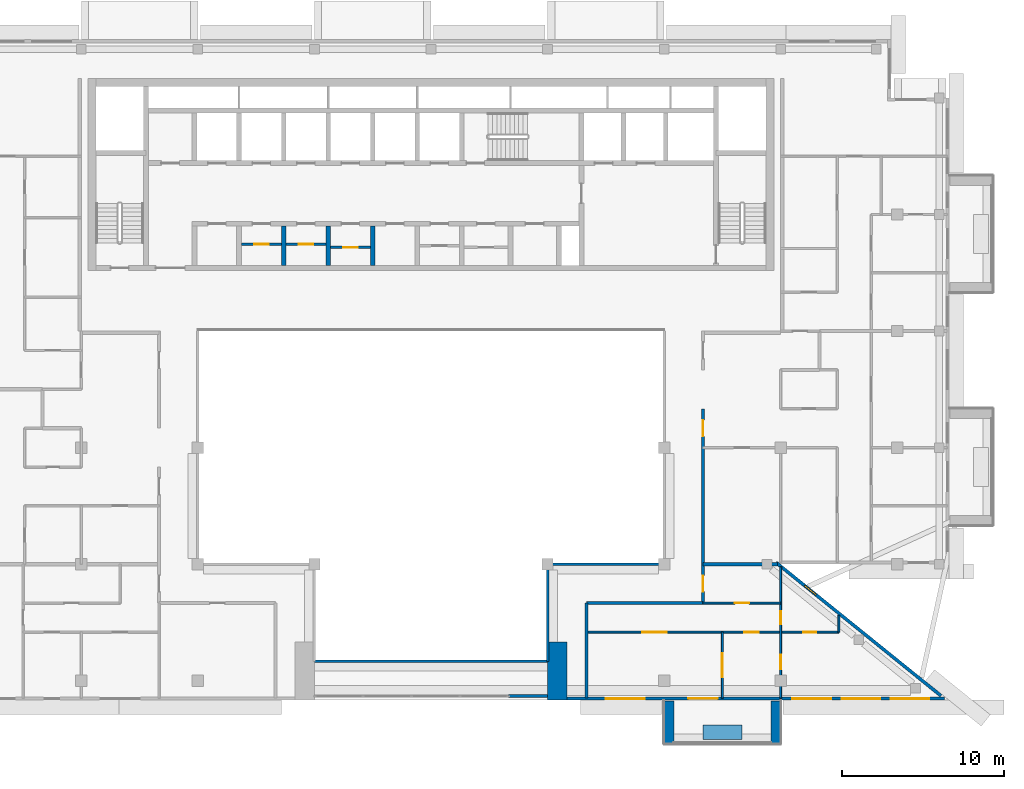
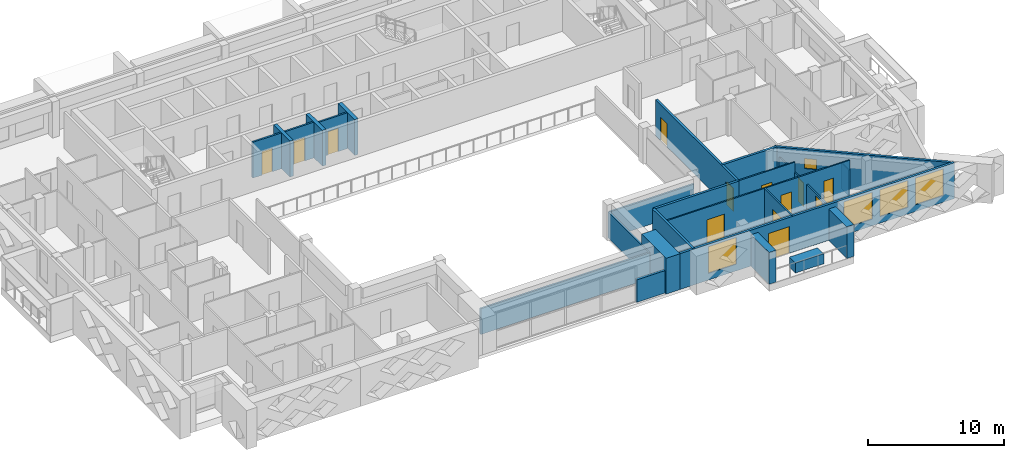
# One storey, part 8 of 19: 25 walls, 13 doors, 5 windows, 18 openings.
"""IFC4 building model written with IfcOpenShell, lengths in metres."""

from ifc_helpers import new_model, si_unit, direction, frame, frame_2d, origin, place, context, subcontext, project, spatial, rectangle, extrude, material, layer, layer_set, type_object, element, fill, save


model = new_model("IFC4")

# Units and contexts
model_context = context("Model", 3, precision=1e-05, world=origin(), true_north=direction((0.0, 1.0)))
body_context = subcontext(model_context, "Body", "Model", "MODEL_VIEW")
ifc_project = project(units=[si_unit("LENGTHUNIT", "METRE"), si_unit("AREAUNIT", "SQUARE_METRE"), si_unit("VOLUMEUNIT", "CUBIC_METRE"), si_unit("PLANEANGLEUNIT", "RADIAN"), si_unit("MASSUNIT", "GRAM", prefix="KILO")], contexts=[model_context])

# Site, building, storey
site_placement = place(None, origin())
site = spatial("IfcSite", under=ifc_project, at=site_placement, CompositionType="ELEMENT")
building_placement = place(site_placement, origin())
building = spatial("IfcBuilding", under=site, at=building_placement, Name="Saffron Iwan Residences", CompositionType="ELEMENT")
storey_placement = place(building_placement, frame((0.0, 0.0, 253.5)))
storey = spatial("IfcBuildingStorey", under=building, at=storey_placement, Name="L68", CompositionType="ELEMENT", Elevation=253.5)

# Walls
ifc_material_1 = material(Name="Fire-rated glazing", Category="glass")
ifc_layer_1 = layer(ifc_material_1, 0.14990234375)
ifc_layer_set_1 = layer_set([ifc_layer_1], Name="Fire-rated glazing")
wall_type_1 = type_object("IfcWallType", Name="Atrium glazed screen 150", PredefinedType="SOLIDWALL", material=ifc_layer_set_1)
wall_1_placement = place(storey_placement, frame((43.199951171875, 42.0, 0.0), z_axis=(0.0, 0.0, 1.0), x_axis=(1.0, 0.0, 0.0)))
element("IfcWall", 1, at=wall_1_placement, inside=storey, type_object=wall_type_1, Name="W-L68-SCREEN-h42-43.2", PredefinedType="SOLIDWALL", context=body_context, shape_type="SweptSolid", body=[
    extrude(rectangle(XDim=14.400146484375, YDim=0.14990234375, at=frame_2d((7.2001953125, 0.0))), origin(), (0.0, 0.0, 1.0), 2.320068359375),
])
wall_2_placement = place(storey_placement, frame((57.60009765625, 48.0, 0.0), z_axis=(0.0, 0.0, 1.0), x_axis=(1.0, 0.0, 0.0)))
element("IfcWall", 2, at=wall_2_placement, inside=storey, type_object=wall_type_1, Name="W-L68-SCREEN-h48-57.6", PredefinedType="SOLIDWALL", context=body_context, shape_type="SweptSolid", body=[
    extrude(rectangle(XDim=7.199951171875, YDim=0.14990234375, at=frame_2d((3.60009765625, 0.0))), origin(), (0.0, 0.0, 1.0), 2.320068359375),
])
wall_3_placement = place(storey_placement, frame((57.60009765625, 42.0, 0.0), z_axis=(0.0, 0.0, 1.0), x_axis=(0.0, 1.0, 0.0)))
element("IfcWall", 3, at=wall_3_placement, inside=storey, type_object=wall_type_1, Name="W-L68-SCREEN-v57.6-42", PredefinedType="SOLIDWALL", context=body_context, shape_type="SweptSolid", body=[
    extrude(rectangle(XDim=6.0, YDim=0.14990234375, at=frame_2d((3.0, 0.0))), origin(), (0.0, 0.0, 1.0), 2.320068359375),
])
ifc_material_2 = material(Name="Concrete C50/60 white painted", Category="concrete")
ifc_layer_2 = layer(ifc_material_2, 0.60009765625)
ifc_layer_set_2 = layer_set([ifc_layer_2], Name="Concrete C50/60 white painted")
wall_type_2 = type_object("IfcWallType", Name="BALCONY FIN 600", PredefinedType="SOLIDWALL", material=ifc_layer_set_2)
for number, where, z_axis, x_axis, name in (
    (4, (65.10009765625, 39.550048828125, 0.0), (0.0, 0.0, 1.0), (0.0, -1.0, 0.0), "Balcony fin L68 11-0a"),
    (5, (71.699951171875, 39.550048828125, 0.0), (0.0, 0.0, 1.0), (0.0, -1.0, 0.0), "Balcony fin L68 11-0b"),
):
    element("IfcWall", number, at=place(storey_placement, frame(where, z_axis=z_axis, x_axis=x_axis)), inside=storey, type_object=wall_type_2, Name=name, PredefinedType="SOLIDWALL", context=body_context, shape_type="SweptSolid", body=[
        extrude(rectangle(XDim=2.650146484375, YDim=0.60009765625, at=frame_2d((1.3251953125, 0.0))), origin(), (0.0, 0.0, 1.0), 2.85009765625),
    ])
ifc_material_3 = material(Name="Concrete C35/45 white painted", Category="concrete")
ifc_layer_3 = layer(ifc_material_3, 0.14990234375)
ifc_layer_set_3 = layer_set([ifc_layer_3], Name="Concrete C35/45 white painted")
wall_type_3 = type_object("IfcWallType", Name="BALCONY PLANTER", PredefinedType="SOLIDWALL", material=ifc_layer_set_3)
wall_4_placement = place(storey_placement, frame((67.199951171875, 37.625, 0.0), z_axis=(0.0, 0.0, 1.0), x_axis=(1.0, 0.0, 0.0)))
element("IfcWall", 6, at=wall_4_placement, inside=storey, type_object=wall_type_3, Name="PLANTER L68 11-0", PredefinedType="SOLIDWALL", context=body_context, shape_type="SweptSolid", body=[
    extrude(rectangle(XDim=2.400146484375, YDim=0.89990234375, at=frame_2d((1.2001953125, 0.0))), origin(), (0.0, 0.0, 1.0), 0.89990234375),
])

# Wall, opening, door
ifc_material_4 = material(Name="Fire-rated plasterboard partition")
ifc_layer_4 = layer(ifc_material_4, 0.14990234375)
ifc_layer_set_4 = layer_set([ifc_layer_4], Name="Fire-rated plasterboard partition")
wall_type_4 = type_object("IfcWallType", Name="Core partition 150", PredefinedType="PARTITIONING", material=ifc_layer_set_4)
wall_5_placement = place(storey_placement, frame((38.699951171875, 67.759521484375, 0.0), z_axis=(0.0, 0.0, 1.0), x_axis=(1.0, 0.0, 0.0)))
wall_5 = element("IfcWall", 7, at=wall_5_placement, inside=storey, type_object=wall_type_4, Name="Core partition P01", PredefinedType="PARTITIONING", context=body_context, shape_type="SweptSolid", body=[
    extrude(rectangle(XDim=2.449951171875, YDim=0.14990234375, at=frame_2d((1.22509765625, 0.0))), origin(), (0.0, 0.0, 1.0), 3.219970703125),
])
opening_1_placement = place(wall_5_placement, frame((0.77490234375, 0.0, 0.0)))
opening_1 = element("IfcOpeningElement", 8, at=opening_1_placement, cuts=wall_5, Name="Opening SB", PredefinedType="OPENING", context=body_context, shape_type="SweptSolid", body=[
    extrude(rectangle(XDim=0.89990234375, YDim=2.10009765625, at=frame_2d((0.449951171875, 1.050048828125))), frame((0.0, 0.0849609375, 0.0), z_axis=(0.0, -1.0, 0.0), x_axis=(1.0, 0.0, 0.0)), (0.0, 0.0, 1.0), 0.169921875),
])
ifc_material_5 = material(Name="Steel fire door", Category="steel")
door_type_1 = type_object("IfcDoorType", Name="Store door 900", OperationType="NOTDEFINED", PredefinedType="DOOR", material=ifc_material_5)
door_1_placement = place(opening_1_placement, origin())
door_1 = element("IfcDoor", 9, at=door_1_placement, inside=storey, type_object=door_type_1, Name="Door Equipment store", OperationType="SINGLE_SWING_RIGHT", OverallHeight=2.10009765625, OverallWidth=0.89990234375, PredefinedType="DOOR", context=body_context, shape_type="SweptSolid", body=[
    extrude(rectangle(XDim=0.89990234375, YDim=2.10009765625, at=frame_2d((0.449951171875, 1.050048828125))), frame((0.0, 0.02490234375, 0.0), z_axis=(0.0, -1.0, 0.0), x_axis=(1.0, 0.0, 0.0)), (0.0, 0.0, 1.0), 0.050048828125),
])
fill(opening_1, door_1)

wall_6_placement = place(storey_placement, frame((41.449951171875, 67.759521484375, 0.0), z_axis=(0.0, 0.0, 1.0), x_axis=(1.0, 0.0, 0.0)))
wall_6 = element("IfcWall", 10, at=wall_6_placement, inside=storey, type_object=wall_type_4, Name="Core partition P02", PredefinedType="PARTITIONING", context=body_context, shape_type="SweptSolid", body=[
    extrude(rectangle(XDim=2.449951171875, YDim=0.14990234375, at=frame_2d((1.22509765625, 0.0))), origin(), (0.0, 0.0, 1.0), 3.219970703125),
])
opening_2_placement = place(wall_6_placement, frame((0.77490234375, 0.0, 0.0)))
opening_2 = element("IfcOpeningElement", 11, at=opening_2_placement, cuts=wall_6, Name="Opening SB", PredefinedType="OPENING", context=body_context, shape_type="SweptSolid", body=[
    extrude(rectangle(XDim=0.89990234375, YDim=2.10009765625, at=frame_2d((0.449951171875, 1.050048828125))), frame((0.0, 0.0849609375, 0.0), z_axis=(0.0, -1.0, 0.0), x_axis=(1.0, 0.0, 0.0)), (0.0, 0.0, 1.0), 0.169921875),
])
door_2_placement = place(opening_2_placement, origin())
door_2 = element("IfcDoor", 12, at=door_2_placement, inside=storey, type_object=door_type_1, Name="Door Mop store", OperationType="SINGLE_SWING_LEFT", OverallHeight=2.10009765625, OverallWidth=0.89990234375, PredefinedType="DOOR", context=body_context, shape_type="SweptSolid", body=[
    extrude(rectangle(XDim=0.89990234375, YDim=2.10009765625, at=frame_2d((0.449951171875, 1.050048828125))), frame((0.0, 0.02490234375, 0.0), z_axis=(0.0, -1.0, 0.0), x_axis=(1.0, 0.0, 0.0)), (0.0, 0.0, 1.0), 0.050048828125),
])
fill(opening_2, door_2)

wall_7_placement = place(storey_placement, frame((44.199951171875, 67.5654296875, 0.0), z_axis=(0.0, 0.0, 1.0), x_axis=(1.0, 0.0, 0.0)))
wall_7 = element("IfcWall", 13, at=wall_7_placement, inside=storey, type_object=wall_type_4, Name="Core partition P03", PredefinedType="PARTITIONING", context=body_context, shape_type="SweptSolid", body=[
    extrude(rectangle(XDim=2.449951171875, YDim=0.14990234375, at=frame_2d((1.22509765625, 0.0))), origin(), (0.0, 0.0, 1.0), 3.219970703125),
])
opening_3_placement = place(wall_7_placement, frame((0.77490234375, 0.0, 0.0)))
opening_3 = element("IfcOpeningElement", 14, at=opening_3_placement, cuts=wall_7, Name="Opening SB", PredefinedType="OPENING", context=body_context, shape_type="SweptSolid", body=[
    extrude(rectangle(XDim=0.89990234375, YDim=2.10009765625, at=frame_2d((0.449951171875, 1.050048828125))), frame((0.0, 0.0849609375, 0.0), z_axis=(0.0, -1.0, 0.0), x_axis=(1.0, 0.0, 0.0)), (0.0, 0.0, 1.0), 0.169921875),
])
door_3_placement = place(opening_3_placement, origin())
door_3 = element("IfcDoor", 15, at=door_3_placement, inside=storey, type_object=door_type_1, Name="Door Spares store", OperationType="SINGLE_SWING_LEFT", OverallHeight=2.10009765625, OverallWidth=0.89990234375, PredefinedType="DOOR", context=body_context, shape_type="SweptSolid", body=[
    extrude(rectangle(XDim=0.89990234375, YDim=2.10009765625, at=frame_2d((0.449951171875, 1.050048828125))), frame((0.0, 0.02490234375, 0.0), z_axis=(0.0, -1.0, 0.0), x_axis=(1.0, 0.0, 0.0)), (0.0, 0.0, 1.0), 0.050048828125),
])
fill(opening_3, door_3)

# Wall, opening, window
ifc_material_6 = material(Name="Concrete C40/50", Category="concrete")
ifc_layer_5 = layer(ifc_material_6, 0.199951171875)
ifc_layer_set_5 = layer_set([ifc_layer_5], Name="Concrete C40/50")
wall_type_5 = type_object("IfcWallType", Name="EXTERNAL WALL 200", PredefinedType="SOLIDWALL", material=ifc_layer_set_5)
wall_8_placement = place(storey_placement, frame((81.906982421875, 39.86962890625, 0.0), z_axis=(0.0, 0.0, 1.0), x_axis=(-0.777936274417, 0.62834318087, 0.0)))
wall_8 = element("IfcWall", 16, at=wall_8_placement, inside=storey, type_object=wall_type_5, Name="External wall L68 F0.0", PredefinedType="SOLIDWALL", context=body_context, shape_type="SweptSolid", body=[
    extrude(rectangle(XDim=13.0986328125, YDim=0.199951171875, at=frame_2d((6.54931640625, 0.0))), origin(), (0.0, 0.0, 1.0), 3.219970703125),
])
opening_4_placement = place(wall_8_placement, frame((9.9384765625, 0.0, 1.5)))
opening_4 = element("IfcOpeningElement", 17, at=opening_4_placement, cuts=wall_8, Name="Opening W6", PredefinedType="OPENING", context=body_context, shape_type="SweptSolid", body=[
    extrude(rectangle(XDim=0.89990234375, YDim=0.89990234375, at=frame_2d((0.449951171875, 0.449951171875))), frame((0.0, 0.10986328125, 0.0), z_axis=(0.0, -1.0, 0.0), x_axis=(1.0, 0.0, 0.0)), (0.0, 0.0, 1.0), 0.219970703125),
])
ifc_material_7 = material(Name="Clear glass, laminated double glazed", Category="glass")
window_type_1 = type_object("IfcWindowType", Name="WINDOW 900 x 900 BATH", PartitioningType="SINGLE_PANEL", PredefinedType="WINDOW", material=ifc_material_7)
window_1_placement = place(opening_4_placement, origin())
window_1 = element("IfcWindow", 18, at=window_1_placement, inside=storey, type_object=window_type_1, Name="Window L68 F0.0", OverallHeight=0.89990234375, OverallWidth=0.89990234375, PartitioningType="SINGLE_PANEL", PredefinedType="WINDOW", context=body_context, shape_type="SweptSolid", body=[
    extrude(rectangle(XDim=0.89990234375, YDim=0.89990234375, at=frame_2d((0.449951171875, 0.449951171875))), frame((0.0, 0.030029296875, 0.0), z_axis=(0.0, -1.0, 0.0), x_axis=(1.0, 0.0, 0.0)), (0.0, 0.0, 1.0), 0.06005859375),
])
fill(opening_4, window_1)

# Wall, openings, door, windows
wall_9_placement = place(storey_placement, frame((58.800048828125, 39.699951171875, 0.0), z_axis=(0.0, 0.0, 1.0), x_axis=(1.0, 0.0, 0.0)))
wall_9 = element("IfcWall", 19, at=wall_9_placement, inside=storey, type_object=wall_type_5, Name="External wall L68 F11.1", PredefinedType="SOLIDWALL", context=body_context, shape_type="SweptSolid", body=[
    extrude(rectangle(XDim=23.31689453125, YDim=0.199951171875, at=frame_2d((11.658447265625, 0.0))), origin(), (0.0, 0.0, 1.0), 3.219970703125),
])
opening_5_placement = place(wall_9_placement, frame((7.5, 0.0, 0.0)))
opening_5 = element("IfcOpeningElement", 20, at=opening_5_placement, cuts=wall_9, Name="Opening BD1", PredefinedType="OPENING", context=body_context, shape_type="SweptSolid", body=[
    extrude(rectangle(XDim=1.800048828125, YDim=2.39990234375, at=frame_2d((0.89990234375, 1.199951171875))), frame((0.0, 0.10986328125, 0.0), z_axis=(0.0, -1.0, 0.0), x_axis=(1.0, 0.0, 0.0)), (0.0, 0.0, 1.0), 0.219970703125),
])
opening_6_placement = place(wall_9_placement, frame((2.39990234375, 0.0, 0.60009765625)))
opening_6 = element("IfcOpeningElement", 21, at=opening_6_placement, cuts=wall_9, Name="Opening W1", PredefinedType="OPENING", context=body_context, shape_type="SweptSolid", body=[
    extrude(rectangle(XDim=2.39990234375, YDim=2.39990234375, at=frame_2d((1.199951171875, 1.199951171875))), frame((0.0, 0.10986328125, 0.0), z_axis=(0.0, -1.0, 0.0), x_axis=(1.0, 0.0, 0.0)), (0.0, 0.0, 1.0), 0.219970703125),
])
opening_7_placement = place(wall_9_placement, frame((13.92919921875, 0.0, 0.60009765625)))
opening_7 = element("IfcOpeningElement", 22, at=opening_7_placement, cuts=wall_9, Name="Opening W1", PredefinedType="OPENING", context=body_context, shape_type="SweptSolid", body=[
    extrude(rectangle(XDim=2.39990234375, YDim=2.39990234375, at=frame_2d((1.199951171875, 1.199951171875))), frame((0.0, 0.10986328125, 0.0), z_axis=(0.0, -1.0, 0.0), x_axis=(1.0, 0.0, 0.0)), (0.0, 0.0, 1.0), 0.219970703125),
])
opening_8_placement = place(wall_9_placement, frame((16.95849609375, 0.0, 0.60009765625)))
opening_8 = element("IfcOpeningElement", 23, at=opening_8_placement, cuts=wall_9, Name="Opening W1", PredefinedType="OPENING", context=body_context, shape_type="SweptSolid", body=[
    extrude(rectangle(XDim=2.39990234375, YDim=2.39990234375, at=frame_2d((1.199951171875, 1.199951171875))), frame((0.0, 0.10986328125, 0.0), z_axis=(0.0, -1.0, 0.0), x_axis=(1.0, 0.0, 0.0)), (0.0, 0.0, 1.0), 0.219970703125),
])
opening_9_placement = place(wall_9_placement, frame((19.98779296875, 0.0, 0.60009765625)))
opening_9 = element("IfcOpeningElement", 24, at=opening_9_placement, cuts=wall_9, Name="Opening W1", PredefinedType="OPENING", context=body_context, shape_type="SweptSolid", body=[
    extrude(rectangle(XDim=2.39990234375, YDim=2.39990234375, at=frame_2d((1.199951171875, 1.199951171875))), frame((0.0, 0.10986328125, 0.0), z_axis=(0.0, -1.0, 0.0), x_axis=(1.0, 0.0, 0.0)), (0.0, 0.0, 1.0), 0.219970703125),
])
door_type_2 = type_object("IfcDoorType", Name="BALCONY DOOR 1800 x 2400", OperationType="DOUBLE_DOOR_SLIDING", PredefinedType="DOOR", material=ifc_material_7)
door_4_placement = place(opening_5_placement, origin())
door_4 = element("IfcDoor", 25, at=door_4_placement, inside=storey, type_object=door_type_2, Name="Balcony door L68 F11.0", OperationType="DOUBLE_DOOR_SLIDING", OverallHeight=2.39990234375, OverallWidth=1.800048828125, PredefinedType="DOOR", context=body_context, shape_type="SweptSolid", body=[
    extrude(rectangle(XDim=1.800048828125, YDim=2.39990234375, at=frame_2d((0.89990234375, 1.199951171875))), frame((0.0, 0.02490234375, 0.0), z_axis=(0.0, -1.0, 0.0), x_axis=(1.0, 0.0, 0.0)), (0.0, 0.0, 1.0), 0.050048828125),
])
fill(opening_5, door_4)
window_type_2 = type_object("IfcWindowType", Name="WINDOW 2400 x 2400", PartitioningType="DOUBLE_PANEL_VERTICAL", PredefinedType="WINDOW", material=ifc_material_7)
window_2_placement = place(opening_6_placement, origin())
window_2 = element("IfcWindow", 26, at=window_2_placement, inside=storey, type_object=window_type_2, Name="Window L68 F11.1", OverallHeight=2.39990234375, OverallWidth=2.39990234375, PartitioningType="DOUBLE_PANEL_VERTICAL", PredefinedType="WINDOW", context=body_context, shape_type="SweptSolid", body=[
    extrude(rectangle(XDim=2.39990234375, YDim=2.39990234375, at=frame_2d((1.199951171875, 1.199951171875))), frame((0.0, 0.030029296875, 0.0), z_axis=(0.0, -1.0, 0.0), x_axis=(1.0, 0.0, 0.0)), (0.0, 0.0, 1.0), 0.06005859375),
])
fill(opening_6, window_2)
window_3_placement = place(opening_7_placement, origin())
window_3 = element("IfcWindow", 27, at=window_3_placement, inside=storey, type_object=window_type_2, Name="Window L68 F11.2", OverallHeight=2.39990234375, OverallWidth=2.39990234375, PartitioningType="DOUBLE_PANEL_VERTICAL", PredefinedType="WINDOW", context=body_context, shape_type="SweptSolid", body=[
    extrude(rectangle(XDim=2.39990234375, YDim=2.39990234375, at=frame_2d((1.199951171875, 1.199951171875))), frame((0.0, 0.030029296875, 0.0), z_axis=(0.0, -1.0, 0.0), x_axis=(1.0, 0.0, 0.0)), (0.0, 0.0, 1.0), 0.06005859375),
])
fill(opening_7, window_3)
window_4_placement = place(opening_8_placement, origin())
window_4 = element("IfcWindow", 28, at=window_4_placement, inside=storey, type_object=window_type_2, Name="Window L68 F11.3", OverallHeight=2.39990234375, OverallWidth=2.39990234375, PartitioningType="DOUBLE_PANEL_VERTICAL", PredefinedType="WINDOW", context=body_context, shape_type="SweptSolid", body=[
    extrude(rectangle(XDim=2.39990234375, YDim=2.39990234375, at=frame_2d((1.199951171875, 1.199951171875))), frame((0.0, 0.030029296875, 0.0), z_axis=(0.0, -1.0, 0.0), x_axis=(1.0, 0.0, 0.0)), (0.0, 0.0, 1.0), 0.06005859375),
])
fill(opening_8, window_4)
window_5_placement = place(opening_9_placement, origin())
window_5 = element("IfcWindow", 29, at=window_5_placement, inside=storey, type_object=window_type_2, Name="Window L68 F11.4", OverallHeight=2.39990234375, OverallWidth=2.39990234375, PartitioningType="DOUBLE_PANEL_VERTICAL", PredefinedType="WINDOW", context=body_context, shape_type="SweptSolid", body=[
    extrude(rectangle(XDim=2.39990234375, YDim=2.39990234375, at=frame_2d((1.199951171875, 1.199951171875))), frame((0.0, 0.030029296875, 0.0), z_axis=(0.0, -1.0, 0.0), x_axis=(1.0, 0.0, 0.0)), (0.0, 0.0, 1.0), 0.06005859375),
])
fill(opening_9, window_5)

# Walls
wall_10_placement = place(storey_placement, frame((55.199951171875, 39.85009765625, 0.0), z_axis=(0.0, 0.0, 1.0), x_axis=(1.0, 0.0, 0.0)))
element("IfcWall", 30, at=wall_10_placement, inside=storey, type_object=wall_type_5, Name="External wall infill CWB-L68-0", PredefinedType="SOLIDWALL", context=body_context, shape_type="SweptSolid", body=[
    extrude(rectangle(XDim=2.400146484375, YDim=0.199951171875, at=frame_2d((1.2001953125, 0.0))), origin(), (0.0, 0.0, 1.0), 2.02001953125),
])
ifc_material_8 = material(Name="Fire-rated gypsum board wall")
ifc_layer_6 = layer(ifc_material_8, 0.199951171875)
ifc_layer_set_6 = layer_set([ifc_layer_6], Name="Fire-rated gypsum board wall")
wall_type_6 = type_object("IfcWallType", Name="Flat demising wall 200", PredefinedType="SOLIDWALL", material=ifc_layer_set_6)
wall_11_placement = place(storey_placement, frame((67.199951171875, 48.0, 0.0), z_axis=(0.0, 0.0, 1.0), x_axis=(1.0, 0.0, 0.0)))
element("IfcWall", 31, at=wall_11_placement, inside=storey, type_object=wall_type_6, Name="W-L68-DEMISE-h48-67.2", PredefinedType="SOLIDWALL", context=body_context, shape_type="SweptSolid", body=[
    extrude(rectangle(XDim=4.60107421875, YDim=0.199951171875, at=frame_2d((2.300537109375, 0.0))), origin(), (0.0, 0.0, 1.0), 3.219970703125),
])

# Wall, openings, doors
ifc_material_9 = material(Name="Gypsum board partition")
ifc_layer_7 = layer(ifc_material_9, 0.1201171875)
ifc_layer_set_7 = layer_set([ifc_layer_7], Name="Gypsum board partition")
wall_type_7 = type_object("IfcWallType", Name="Flat partition 120", PredefinedType="PARTITIONING", material=ifc_layer_set_7)
wall_12_placement = place(storey_placement, frame((60.0, 43.800048828125, 0.0), z_axis=(0.0, 0.0, 1.0), x_axis=(1.0, 0.0, 0.0)))
wall_12 = element("IfcWall", 32, at=wall_12_placement, inside=storey, type_object=wall_type_7, Name="W-L68-PART-h43.8-60", PredefinedType="PARTITIONING", context=body_context, shape_type="SweptSolid", body=[
    extrude(rectangle(XDim=15.60009765625, YDim=0.1201171875, at=frame_2d((7.800048828125, 0.0))), origin(), (0.0, 0.0, 1.0), 3.219970703125),
])
opening_10_placement = place(wall_12_placement, frame((9.75, 0.0, 0.0)))
opening_10 = element("IfcOpeningElement", 33, at=opening_10_placement, cuts=wall_12, Name="Opening FD2", PredefinedType="OPENING", context=body_context, shape_type="SweptSolid", body=[
    extrude(rectangle(XDim=0.89990234375, YDim=2.10009765625, at=frame_2d((0.449951171875, 1.050048828125))), frame((0.0, 0.070068359375, 0.0), z_axis=(0.0, -1.0, 0.0), x_axis=(1.0, 0.0, 0.0)), (0.0, 0.0, 1.0), 0.14013671875),
])
opening_11_placement = place(wall_12_placement, frame((3.449951171875, 0.0, 0.0)))
opening_11 = element("IfcOpeningElement", 34, at=opening_11_placement, cuts=wall_12, Name="Opening FD4", PredefinedType="OPENING", context=body_context, shape_type="SweptSolid", body=[
    extrude(rectangle(XDim=1.5, YDim=2.10009765625, at=frame_2d((0.75, 1.050048828125))), frame((0.0, 0.070068359375, 0.0), z_axis=(0.0, -1.0, 0.0), x_axis=(1.0, 0.0, 0.0)), (0.0, 0.0, 1.0), 0.14013671875),
])
opening_12_placement = place(wall_12_placement, frame((13.39990234375, 0.0, 0.0)))
opening_12 = element("IfcOpeningElement", 35, at=opening_12_placement, cuts=wall_12, Name="Opening FD3", PredefinedType="OPENING", context=body_context, shape_type="SweptSolid", body=[
    extrude(rectangle(XDim=0.800048828125, YDim=2.10009765625, at=frame_2d((0.39990234375, 1.050048828125))), frame((0.0, 0.070068359375, 0.0), z_axis=(0.0, -1.0, 0.0), x_axis=(1.0, 0.0, 0.0)), (0.0, 0.0, 1.0), 0.14013671875),
])
ifc_material_10 = material(Name="Timber door", Category="wood")
door_type_3 = type_object("IfcDoorType", Name="Bathroom door 800", OperationType="NOTDEFINED", PredefinedType="DOOR", material=ifc_material_10)
door_5_placement = place(opening_12_placement, origin())
door_5 = element("IfcDoor", 36, at=door_5_placement, inside=storey, type_object=door_type_3, Name="Door L68-044", OperationType="SINGLE_SWING_RIGHT", OverallHeight=2.10009765625, OverallWidth=0.800048828125, PredefinedType="DOOR", context=body_context, shape_type="SweptSolid", body=[
    extrude(rectangle(XDim=0.800048828125, YDim=2.10009765625, at=frame_2d((0.39990234375, 1.050048828125))), frame((0.0, 0.02490234375, 0.0), z_axis=(0.0, -1.0, 0.0), x_axis=(1.0, 0.0, 0.0)), (0.0, 0.0, 1.0), 0.050048828125),
])
fill(opening_12, door_5)
door_type_4 = type_object("IfcDoorType", Name="Double door 1500", OperationType="NOTDEFINED", PredefinedType="DOOR", material=ifc_material_10)
door_6_placement = place(opening_11_placement, origin())
door_6 = element("IfcDoor", 37, at=door_6_placement, inside=storey, type_object=door_type_4, Name="Door L68-041", OperationType="SINGLE_SWING_RIGHT", OverallHeight=2.10009765625, OverallWidth=1.5, PredefinedType="DOOR", context=body_context, shape_type="SweptSolid", body=[
    extrude(rectangle(XDim=1.5, YDim=2.10009765625, at=frame_2d((0.75, 1.050048828125))), frame((0.0, 0.02490234375, 0.0), z_axis=(0.0, -1.0, 0.0), x_axis=(1.0, 0.0, 0.0)), (0.0, 0.0, 1.0), 0.050048828125),
])
fill(opening_11, door_6)
door_type_5 = type_object("IfcDoorType", Name="Flat door 900", OperationType="NOTDEFINED", PredefinedType="DOOR", material=ifc_material_10)
door_7_placement = place(opening_10_placement, origin())
door_7 = element("IfcDoor", 38, at=door_7_placement, inside=storey, type_object=door_type_5, Name="Door L68-040", OperationType="SINGLE_SWING_LEFT", OverallHeight=2.10009765625, OverallWidth=0.89990234375, PredefinedType="DOOR", context=body_context, shape_type="SweptSolid", body=[
    extrude(rectangle(XDim=0.89990234375, YDim=2.10009765625, at=frame_2d((0.449951171875, 1.050048828125))), frame((0.0, 0.02490234375, 0.0), z_axis=(0.0, -1.0, 0.0), x_axis=(1.0, 0.0, 0.0)), (0.0, 0.0, 1.0), 0.050048828125),
])
fill(opening_10, door_7)

# Wall, opening, door
wall_13_placement = place(storey_placement, frame((67.199951171875, 45.60009765625, 0.0), z_axis=(0.0, 0.0, 1.0), x_axis=(1.0, 0.0, 0.0)))
wall_13 = element("IfcWall", 39, at=wall_13_placement, inside=storey, type_object=wall_type_7, Name="W-L68-PART-h45.6-67.2", PredefinedType="PARTITIONING", context=body_context, shape_type="SweptSolid", body=[
    extrude(rectangle(XDim=4.800048828125, YDim=0.1201171875, at=frame_2d((2.39990234375, 0.0))), origin(), (0.0, 0.0, 1.0), 3.219970703125),
])
opening_13_placement = place(wall_13_placement, frame((1.949951171875, 0.0, 0.0)))
opening_13 = element("IfcOpeningElement", 40, at=opening_13_placement, cuts=wall_13, Name="Opening FD2", PredefinedType="OPENING", context=body_context, shape_type="SweptSolid", body=[
    extrude(rectangle(XDim=0.89990234375, YDim=2.10009765625, at=frame_2d((0.449951171875, 1.050048828125))), frame((0.0, 0.070068359375, 0.0), z_axis=(0.0, -1.0, 0.0), x_axis=(1.0, 0.0, 0.0)), (0.0, 0.0, 1.0), 0.14013671875),
])
door_8_placement = place(opening_13_placement, origin())
door_8 = element("IfcDoor", 41, at=door_8_placement, inside=storey, type_object=door_type_5, Name="Door L68-038", OperationType="SINGLE_SWING_RIGHT", OverallHeight=2.10009765625, OverallWidth=0.89990234375, PredefinedType="DOOR", context=body_context, shape_type="SweptSolid", body=[
    extrude(rectangle(XDim=0.89990234375, YDim=2.10009765625, at=frame_2d((0.449951171875, 1.050048828125))), frame((0.0, 0.02490234375, 0.0), z_axis=(0.0, -1.0, 0.0), x_axis=(1.0, 0.0, 0.0)), (0.0, 0.0, 1.0), 0.050048828125),
])
fill(opening_13, door_8)

wall_14_placement = place(storey_placement, frame((68.39990234375, 39.72509765625, 0.0), z_axis=(0.0, 0.0, 1.0), x_axis=(0.0, 1.0, 0.0)))
wall_14 = element("IfcWall", 42, at=wall_14_placement, inside=storey, type_object=wall_type_7, Name="W-L68-PART-v68.4-39.725", PredefinedType="PARTITIONING", context=body_context, shape_type="SweptSolid", body=[
    extrude(rectangle(XDim=4.074951171875, YDim=0.1201171875, at=frame_2d((2.03759765625, 0.0))), origin(), (0.0, 0.0, 1.0), 3.219970703125),
])
opening_14_placement = place(wall_14_placement, frame((1.28759765625, 0.0, 0.0)))
opening_14 = element("IfcOpeningElement", 43, at=opening_14_placement, cuts=wall_14, Name="Opening FD4", PredefinedType="OPENING", context=body_context, shape_type="SweptSolid", body=[
    extrude(rectangle(XDim=1.5, YDim=2.10009765625, at=frame_2d((0.75, 1.050048828125))), frame((0.0, 0.070068359375, 0.0), z_axis=(0.0, -1.0, 0.0), x_axis=(1.0, 0.0, 0.0)), (0.0, 0.0, 1.0), 0.14013671875),
])
door_9_placement = place(opening_14_placement, origin())
door_9 = element("IfcDoor", 44, at=door_9_placement, inside=storey, type_object=door_type_4, Name="Door L68-037", OperationType="SINGLE_SWING_LEFT", OverallHeight=2.10009765625, OverallWidth=1.5, PredefinedType="DOOR", context=body_context, shape_type="SweptSolid", body=[
    extrude(rectangle(XDim=1.5, YDim=2.10009765625, at=frame_2d((0.75, 1.050048828125))), frame((0.0, 0.02490234375, 0.0), z_axis=(0.0, -1.0, 0.0), x_axis=(1.0, 0.0, 0.0)), (0.0, 0.0, 1.0), 0.050048828125),
])
fill(opening_14, door_9)

# Wall, openings, doors
wall_15_placement = place(storey_placement, frame((72.0, 39.72509765625, 0.0), z_axis=(0.0, 0.0, 1.0), x_axis=(0.0, 1.0, 0.0)))
wall_15 = element("IfcWall", 45, at=wall_15_placement, inside=storey, type_object=wall_type_7, Name="W-L68-PART-v72-39.725", PredefinedType="PARTITIONING", context=body_context, shape_type="SweptSolid", body=[
    extrude(rectangle(XDim=8.114013671875, YDim=0.1201171875, at=frame_2d((4.05712890625, 0.0))), origin(), (0.0, 0.0, 1.0), 2.320068359375),
])
opening_15_placement = place(wall_15_placement, frame((1.78759765625, 0.0, 0.0)))
opening_15 = element("IfcOpeningElement", 46, at=opening_15_placement, cuts=wall_15, Name="Opening FD2", PredefinedType="OPENING", context=body_context, shape_type="SweptSolid", body=[
    extrude(rectangle(XDim=0.89990234375, YDim=2.10009765625, at=frame_2d((0.449951171875, 1.050048828125))), frame((0.0, 0.070068359375, 0.0), z_axis=(0.0, -1.0, 0.0), x_axis=(1.0, 0.0, 0.0)), (0.0, 0.0, 1.0), 0.14013671875),
])
opening_16_placement = place(wall_15_placement, frame((4.574951171875, 0.0, 0.0)))
opening_16 = element("IfcOpeningElement", 47, at=opening_16_placement, cuts=wall_15, Name="Opening FD3", PredefinedType="OPENING", context=body_context, shape_type="SweptSolid", body=[
    extrude(rectangle(XDim=0.800048828125, YDim=2.10009765625, at=frame_2d((0.39990234375, 1.050048828125))), frame((0.0, 0.070068359375, 0.0), z_axis=(0.0, -1.0, 0.0), x_axis=(1.0, 0.0, 0.0)), (0.0, 0.0, 1.0), 0.14013671875),
])
door_10_placement = place(opening_16_placement, origin())
door_10 = element("IfcDoor", 48, at=door_10_placement, inside=storey, type_object=door_type_3, Name="Door L68-043", OperationType="SINGLE_SWING_LEFT", OverallHeight=2.10009765625, OverallWidth=0.800048828125, PredefinedType="DOOR", context=body_context, shape_type="SweptSolid", body=[
    extrude(rectangle(XDim=0.800048828125, YDim=2.10009765625, at=frame_2d((0.39990234375, 1.050048828125))), frame((0.0, 0.02490234375, 0.0), z_axis=(0.0, -1.0, 0.0), x_axis=(1.0, 0.0, 0.0)), (0.0, 0.0, 1.0), 0.050048828125),
])
fill(opening_16, door_10)
door_11_placement = place(opening_15_placement, origin())
door_11 = element("IfcDoor", 49, at=door_11_placement, inside=storey, type_object=door_type_5, Name="Door L68-042", OperationType="SINGLE_SWING_RIGHT", OverallHeight=2.10009765625, OverallWidth=0.89990234375, PredefinedType="DOOR", context=body_context, shape_type="SweptSolid", body=[
    extrude(rectangle(XDim=0.89990234375, YDim=2.10009765625, at=frame_2d((0.449951171875, 1.050048828125))), frame((0.0, 0.02490234375, 0.0), z_axis=(0.0, -1.0, 0.0), x_axis=(1.0, 0.0, 0.0)), (0.0, 0.0, 1.0), 0.050048828125),
])
fill(opening_15, door_11)

# Walls
wall_16_placement = place(storey_placement, frame((75.60009765625, 43.800048828125, 0.0), z_axis=(0.0, 0.0, 1.0), x_axis=(0.0, 1.0, 0.0)))
element("IfcWall", 50, at=wall_16_placement, inside=storey, type_object=wall_type_7, Name="W-L68-PART-v75.6-43.8", PredefinedType="PARTITIONING", context=body_context, shape_type="SweptSolid", body=[
    extrude(rectangle(XDim=1.03515625, YDim=0.1201171875, at=frame_2d((0.517578125, 0.0))), origin(), (0.0, 0.0, 1.0), 2.320068359375),
])
ifc_layer_8 = layer(ifc_material_8, 0.199951171875)
ifc_layer_set_8 = layer_set([ifc_layer_8], Name="Fire-rated gypsum board wall")
wall_type_8 = type_object("IfcWallType", Name="Gallery wall 200", PredefinedType="SOLIDWALL", material=ifc_layer_set_8)
wall_17_placement = place(storey_placement, frame((60.0, 45.60009765625, 0.0), z_axis=(0.0, 0.0, 1.0), x_axis=(1.0, 0.0, 0.0)))
element("IfcWall", 51, at=wall_17_placement, inside=storey, type_object=wall_type_8, Name="W-L68-CORR-h45.6-60", PredefinedType="SOLIDWALL", context=body_context, shape_type="SweptSolid", body=[
    extrude(rectangle(XDim=7.199951171875, YDim=0.199951171875, at=frame_2d((3.60009765625, 0.0))), origin(), (0.0, 0.0, 1.0), 3.219970703125),
])
wall_18_placement = place(storey_placement, frame((60.0, 39.72509765625, 0.0), z_axis=(0.0, 0.0, 1.0), x_axis=(0.0, 1.0, 0.0)))
element("IfcWall", 52, at=wall_18_placement, inside=storey, type_object=wall_type_8, Name="W-L68-CORR-v60-39.725", PredefinedType="SOLIDWALL", context=body_context, shape_type="SweptSolid", body=[
    extrude(rectangle(XDim=5.875, YDim=0.199951171875, at=frame_2d((2.9375, 0.0))), origin(), (0.0, 0.0, 1.0), 3.219970703125),
])

# Wall, openings, doors
wall_19_placement = place(storey_placement, frame((67.199951171875, 45.60009765625, 0.0), z_axis=(0.0, 0.0, 1.0), x_axis=(0.0, 1.0, 0.0)))
wall_19 = element("IfcWall", 53, at=wall_19_placement, inside=storey, type_object=wall_type_8, Name="W-L68-CORR-v67.2-45.6", PredefinedType="SOLIDWALL", context=body_context, shape_type="SweptSolid", body=[
    extrude(rectangle(XDim=12.0, YDim=0.199951171875, at=frame_2d((6.0, 0.0))), origin(), (0.0, 0.0, 1.0), 3.219970703125),
])
opening_17_placement = place(wall_19_placement, frame((10.300048828125, 0.0, 0.0)))
opening_17 = element("IfcOpeningElement", 54, at=opening_17_placement, cuts=wall_19, Name="Opening FD1", PredefinedType="OPENING", context=body_context, shape_type="SweptSolid", body=[
    extrude(rectangle(XDim=1.0, YDim=2.10009765625, at=frame_2d((0.5, 1.050048828125))), frame((0.0, 0.10986328125, 0.0), z_axis=(0.0, -1.0, 0.0), x_axis=(1.0, 0.0, 0.0)), (0.0, 0.0, 1.0), 0.219970703125),
])
opening_18_placement = place(wall_19_placement, frame((0.699951171875, 0.0, 0.0)))
opening_18 = element("IfcOpeningElement", 55, at=opening_18_placement, cuts=wall_19, Name="Opening FD5", PredefinedType="OPENING", context=body_context, shape_type="SweptSolid", body=[
    extrude(rectangle(XDim=1.0, YDim=2.10009765625, at=frame_2d((0.5, 1.050048828125))), frame((0.0, 0.10986328125, 0.0), z_axis=(0.0, -1.0, 0.0), x_axis=(1.0, 0.0, 0.0)), (0.0, 0.0, 1.0), 0.219970703125),
])
ifc_material_11 = material(Name="Fire-rated timber door", Category="wood")
door_type_6 = type_object("IfcDoorType", Name="FD30S flat entrance door 1000", OperationType="NOTDEFINED", PredefinedType="DOOR", material=ifc_material_11)
door_12_placement = place(opening_17_placement, origin())
door_12 = element("IfcDoor", 56, at=door_12_placement, inside=storey, type_object=door_type_6, Name="Door L68-013", OperationType="SINGLE_SWING_LEFT", OverallHeight=2.10009765625, OverallWidth=1.0, PredefinedType="DOOR", context=body_context, shape_type="SweptSolid", body=[
    extrude(rectangle(XDim=1.0, YDim=2.10009765625, at=frame_2d((0.5, 1.050048828125))), frame((0.0, 0.02490234375, 0.0), z_axis=(0.0, -1.0, 0.0), x_axis=(1.0, 0.0, 0.0)), (0.0, 0.0, 1.0), 0.050048828125),
])
fill(opening_17, door_12)
door_type_7 = type_object("IfcDoorType", Name="Lobby door 1000", OperationType="NOTDEFINED", PredefinedType="DOOR", material=ifc_material_11)
door_13_placement = place(opening_18_placement, origin())
door_13 = element("IfcDoor", 57, at=door_13_placement, inside=storey, type_object=door_type_7, Name="Door L68-039", OperationType="SINGLE_SWING_LEFT", OverallHeight=2.10009765625, OverallWidth=1.0, PredefinedType="DOOR", context=body_context, shape_type="SweptSolid", body=[
    extrude(rectangle(XDim=1.0, YDim=2.10009765625, at=frame_2d((0.5, 1.050048828125))), frame((0.0, 0.02490234375, 0.0), z_axis=(0.0, -1.0, 0.0), x_axis=(1.0, 0.0, 0.0)), (0.0, 0.0, 1.0), 0.050048828125),
])
fill(opening_18, door_13)

# Walls
ifc_layer_9 = layer(ifc_material_6, 0.300048828125)
ifc_layer_set_9 = layer_set([ifc_layer_9], Name="Concrete C40/50")
wall_type_9 = type_object("IfcWallType", Name="WALL CORE 300 C40/50 3220 HIGH", PredefinedType="SHEAR", material=ifc_layer_set_9)
for number, where, z_axis, x_axis, name in (
    (58, (41.300048828125, 66.449951171875, 0.0), (0.0, 0.0, 1.0), (0.0, 1.0, 0.0), "Core wall"),
    (59, (44.050048828125, 66.449951171875, 0.0), (0.0, 0.0, 1.0), (0.0, 1.0, 0.0), "Core wall"),
    (60, (46.800048828125, 66.449951171875, 0.0), (0.0, 0.0, 1.0), (0.0, 1.0, 0.0), "Core wall"),
):
    element("IfcWall", number, at=place(storey_placement, frame(where, z_axis=z_axis, x_axis=x_axis)), inside=storey, type_object=wall_type_9, Name=name, PredefinedType="SHEAR", context=body_context, shape_type="SweptSolid", body=[
        extrude(rectangle(XDim=2.425048828125, YDim=0.300048828125, at=frame_2d((1.21240234375, 0.0))), origin(), (0.0, 0.0, 1.0), 3.219970703125),
    ])
ifc_layer_10 = layer(ifc_material_6, 1.199951171875)
ifc_layer_set_10 = layer_set([ifc_layer_10], Name="Concrete C40/50")
wall_type_10 = type_object("IfcWallType", Name="WALL IWAN PIER 1200 C40/50 3220 HIGH", PredefinedType="SHEAR", material=ifc_layer_set_10)
wall_20_placement = place(storey_placement, frame((58.199951171875, 39.60009765625, 0.0), z_axis=(0.0, 0.0, 1.0), x_axis=(0.0, 1.0, 0.0)))
element("IfcWall", 61, at=wall_20_placement, inside=storey, type_object=wall_type_10, Name="IWAN PIER", PredefinedType="SHEAR", context=body_context, shape_type="SweptSolid", body=[
    extrude(rectangle(XDim=3.599853515625, YDim=1.199951171875, at=frame_2d((1.7998046875, 0.0))), origin(), (0.0, 0.0, 1.0), 3.219970703125),
])

save(model, "model.ifc")
